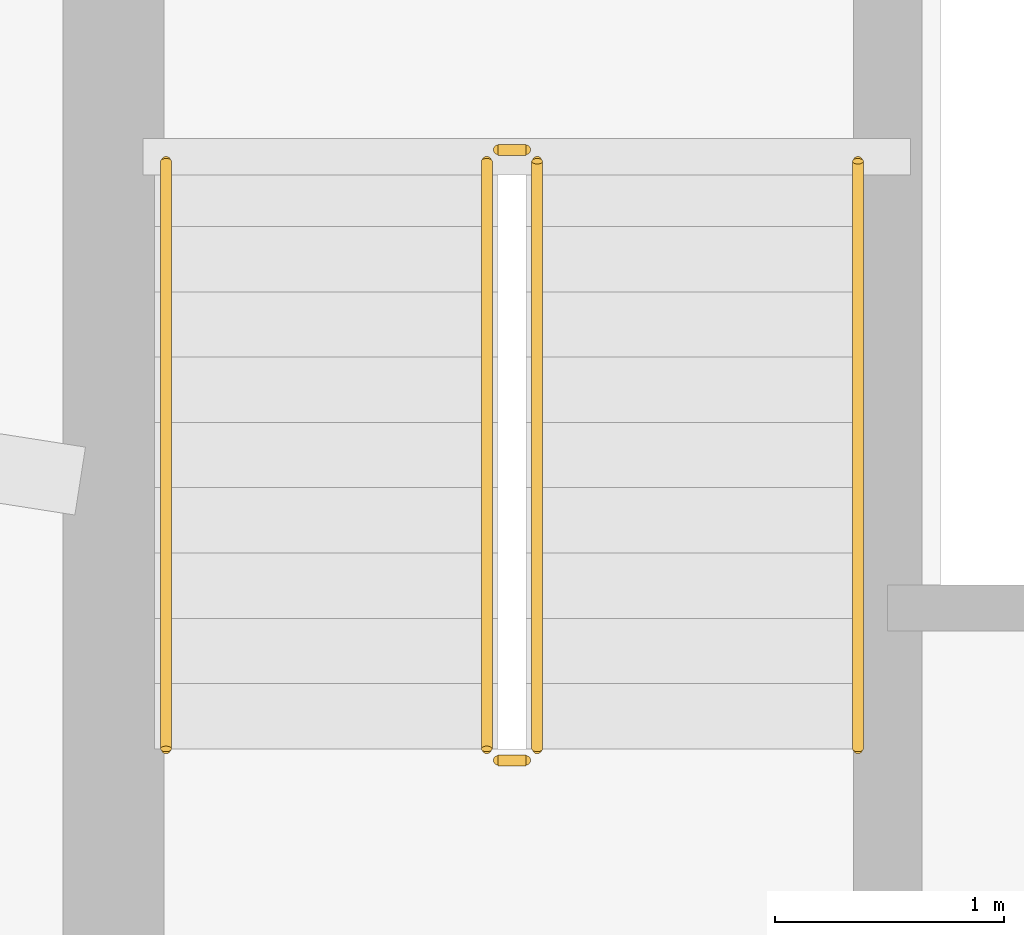
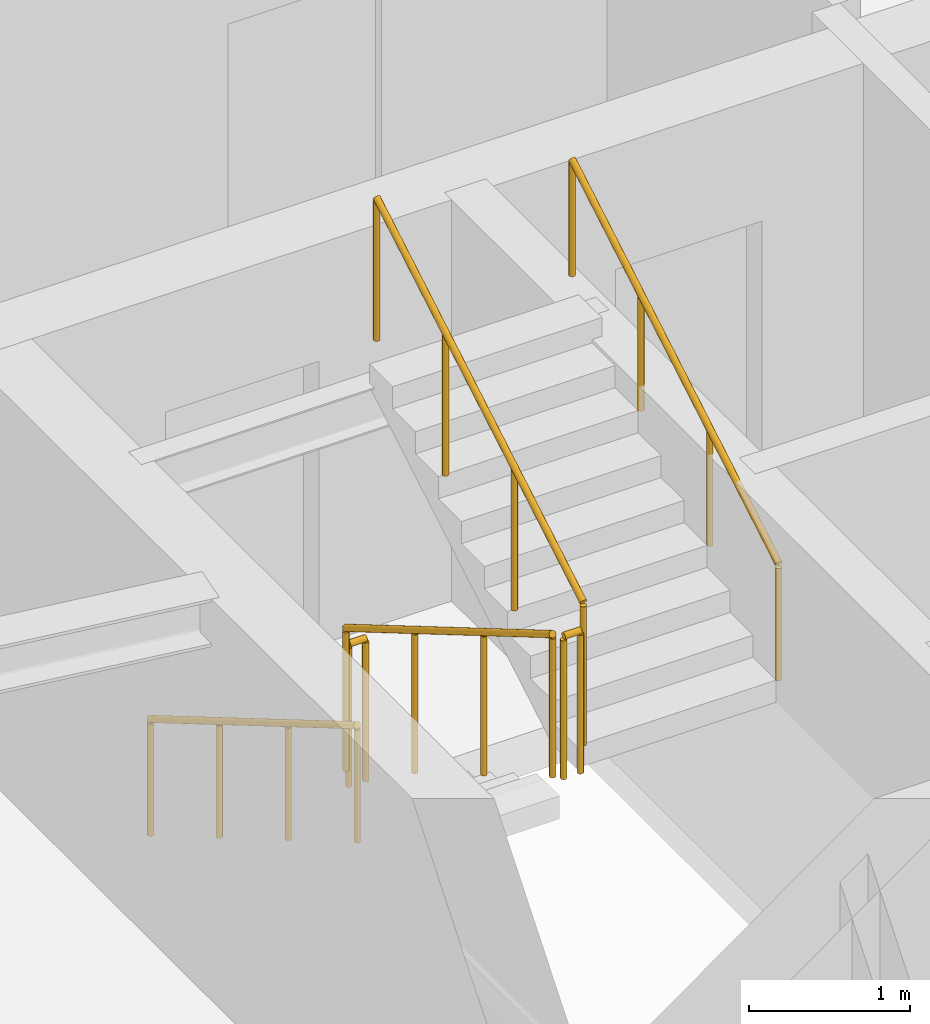
# One storey, part 9 of 10: 6 railings.
"""IFC4 building model written with IfcOpenShell, lengths in metres."""

from ifc_helpers import new_model, si_unit, direction, frame, origin, origin_2d, place, context, subcontext, project, spatial, circle, extrude, material, type_object, element, save


model = new_model("IFC4")

# Units and contexts
model_context = context("Model", 3, precision=1e-05, world=origin(), true_north=direction((0.0, 1.0)))
body_context = subcontext(model_context, "Body", "Model", "MODEL_VIEW")
ifc_project = project(units=[si_unit("LENGTHUNIT", "METRE"), si_unit("AREAUNIT", "SQUARE_METRE"), si_unit("VOLUMEUNIT", "CUBIC_METRE"), si_unit("PLANEANGLEUNIT", "RADIAN"), si_unit("MASSUNIT", "GRAM", prefix="KILO")], contexts=[model_context])

# Site, building, storey
site_placement = place(None, origin())
site = spatial("IfcSite", under=ifc_project, at=site_placement, CompositionType="ELEMENT")
building_placement = place(site_placement, origin())
building = spatial("IfcBuilding", under=site, at=building_placement, Name="Qobustan Lattice House", CompositionType="ELEMENT")
storey_placement = place(building_placement, frame((0.0, 0.0, 238.35009765625)))
storey = spatial("IfcBuildingStorey", under=building, at=storey_placement, Name="L67", CompositionType="ELEMENT", Elevation=238.35009765625)

# Railings
ifc_material_1 = material(Name="Brushed stainless steel handrail", Category="steel")
railing_type_1 = type_object("IfcRailingType", Name="RAL-HR-920", PredefinedType="HANDRAIL", material=ifc_material_1)
railing_1_placement = place(storey_placement, frame((-18.199951171875, 3.5, 0.16748046875)))
element("IfcRailing", 1, at=railing_1_placement, inside=storey, type_object=railing_type_1, Name="L67 ST-W1 stair handrail 1", PredefinedType="HANDRAIL", context=body_context, shape_type="SweptSolid", body=[
    extrude(circle(Radius=0.02392578125, at=origin_2d()), frame((0.0, 0.0, 0.8759765625), z_axis=(0.0, -0.862149314443, 0.506654280161), x_axis=(1.0, 0.0, 0.0)), (0.0, 0.0, 1.0), 2.97509765625),
    extrude(circle(Radius=0.02099609375, at=origin_2d()), origin(), (0.0, 0.0, 1.0), 0.851806640625),
    extrude(circle(Radius=0.02099609375, at=origin_2d()), frame((0.0, -0.85498046875, 0.50244140625)), (0.0, 0.0, 1.0), 0.851806640625),
    extrude(circle(Radius=0.02099609375, at=origin_2d()), frame((0.0, -1.7099609375, 1.0048828125)), (0.0, 0.0, 1.0), 0.851806640625),
    extrude(circle(Radius=0.02099609375, at=origin_2d()), frame((0.0, -2.56494140625, 1.50732421875)), (0.0, 0.0, 1.0), 0.851806640625),
])
railing_2_placement = place(storey_placement, frame((-15.179931640625, 0.93505859375, 1.84228515625)))
element("IfcRailing", 2, at=railing_2_placement, inside=storey, type_object=railing_type_1, Name="L67 ST-W1 stair handrail 2", PredefinedType="HANDRAIL", context=body_context, shape_type="SweptSolid", body=[
    extrude(circle(Radius=0.02392578125, at=origin_2d()), frame((0.0, 0.0, 0.8759765625), z_axis=(0.0, 0.862113467892, 0.50671527358), x_axis=(-1.0, 0.0, 0.0)), (0.0, 0.0, 1.0), 2.97509765625),
    extrude(circle(Radius=0.02099609375, at=origin_2d()), origin(), (0.0, 0.0, 1.0), 0.851806640625),
    extrude(circle(Radius=0.02099609375, at=origin_2d()), frame((0.0, 0.85498046875, 0.50244140625)), (0.0, 0.0, 1.0), 0.851806640625),
    extrude(circle(Radius=0.02099609375, at=origin_2d()), frame((0.0, 1.7099609375, 1.005126953125)), (0.0, 0.0, 1.0), 0.851806640625),
    extrude(circle(Radius=0.02099609375, at=origin_2d()), frame((0.0, 2.56494140625, 1.507568359375)), (0.0, 0.0, 1.0), 0.851806640625),
])
ifc_material_2 = material(Name="Painted galvanized steel guardrail", Category="steel")
railing_type_2 = type_object("IfcRailingType", Name="RAL-STG-1150", PredefinedType="GUARDRAIL", material=ifc_material_2)
railing_3_placement = place(storey_placement, frame((-16.800048828125, 3.5, 0.16748046875)))
element("IfcRailing", 3, at=railing_3_placement, inside=storey, type_object=railing_type_2, Name="L67 ST-W1 stair guard 1", PredefinedType="GUARDRAIL", context=body_context, shape_type="SweptSolid", body=[
    extrude(circle(Radius=0.02392578125, at=origin_2d()), frame((0.0, 0.0, 1.076171875), z_axis=(0.0, -0.862149314443, 0.506654280161), x_axis=(1.0, 0.0, 0.0)), (0.0, 0.0, 1.0), 2.97509765625),
    extrude(circle(Radius=0.02099609375, at=origin_2d()), origin(), (0.0, 0.0, 1.0), 1.052001953125),
    extrude(circle(Radius=0.02099609375, at=origin_2d()), frame((0.0, -0.85498046875, 0.50244140625)), (0.0, 0.0, 1.0), 1.052001953125),
    extrude(circle(Radius=0.02099609375, at=origin_2d()), frame((0.0, -1.7099609375, 1.0048828125)), (0.0, 0.0, 1.0), 1.052001953125),
    extrude(circle(Radius=0.02099609375, at=origin_2d()), frame((0.0, -2.56494140625, 1.50732421875)), (0.0, 0.0, 1.0), 1.052001953125),
])
railing_4_placement = place(storey_placement, frame((-16.75, 0.885009765625, 1.6748046875)))
element("IfcRailing", 4, at=railing_4_placement, inside=storey, type_object=railing_type_2, Name="L67 ST-W1 stair guard 2", PredefinedType="GUARDRAIL", context=body_context, shape_type="SweptSolid", body=[
    extrude(circle(Radius=0.02392578125, at=origin_2d()), frame((0.0, 0.0, 1.076171875), z_axis=(1.0, 0.0, 0.0), x_axis=(0.0, 1.0, 0.0)), (0.0, 0.0, 1.0), 0.1201171875),
    extrude(circle(Radius=0.02099609375, at=origin_2d()), origin(), (0.0, 0.0, 1.0), 1.052001953125),
    extrude(circle(Radius=0.02099609375, at=origin_2d()), frame((0.1201171875, 0.0, 0.0)), (0.0, 0.0, 1.0), 1.052001953125),
])
railing_5_placement = place(storey_placement, frame((-16.580078125, 0.93505859375, 1.84228515625)))
element("IfcRailing", 5, at=railing_5_placement, inside=storey, type_object=railing_type_2, Name="L67 ST-W1 stair guard 3", PredefinedType="GUARDRAIL", context=body_context, shape_type="SweptSolid", body=[
    extrude(circle(Radius=0.02392578125, at=origin_2d()), frame((0.0, 0.0, 1.076171875), z_axis=(0.0, 0.862113467892, 0.50671527358), x_axis=(-1.0, 0.0, 0.0)), (0.0, 0.0, 1.0), 2.97509765625),
    extrude(circle(Radius=0.02099609375, at=origin_2d()), origin(), (0.0, 0.0, 1.0), 1.052001953125),
    extrude(circle(Radius=0.02099609375, at=origin_2d()), frame((0.0, 0.85498046875, 0.50244140625)), (0.0, 0.0, 1.0), 1.052001953125),
    extrude(circle(Radius=0.02099609375, at=origin_2d()), frame((0.0, 1.7099609375, 1.005126953125)), (0.0, 0.0, 1.0), 1.052001953125),
    extrude(circle(Radius=0.02099609375, at=origin_2d()), frame((0.0, 2.56494140625, 1.507568359375)), (0.0, 0.0, 1.0), 1.052001953125),
])
railing_6_placement = place(storey_placement, frame((-16.75, 3.550048828125, 0.0)))
element("IfcRailing", 6, at=railing_6_placement, inside=storey, type_object=railing_type_2, Name="L67 ST-W1 stair guard 4", PredefinedType="GUARDRAIL", context=body_context, shape_type="SweptSolid", body=[
    extrude(circle(Radius=0.02392578125, at=origin_2d()), frame((0.0, 0.0, 1.076171875), z_axis=(1.0, 0.0, 0.0), x_axis=(0.0, 1.0, 0.0)), (0.0, 0.0, 1.0), 0.1201171875),
    extrude(circle(Radius=0.02099609375, at=origin_2d()), origin(), (0.0, 0.0, 1.0), 1.052001953125),
    extrude(circle(Radius=0.02099609375, at=origin_2d()), frame((0.1201171875, 0.0, 0.0)), (0.0, 0.0, 1.0), 1.052001953125),
])

save(model, "model.ifc")
